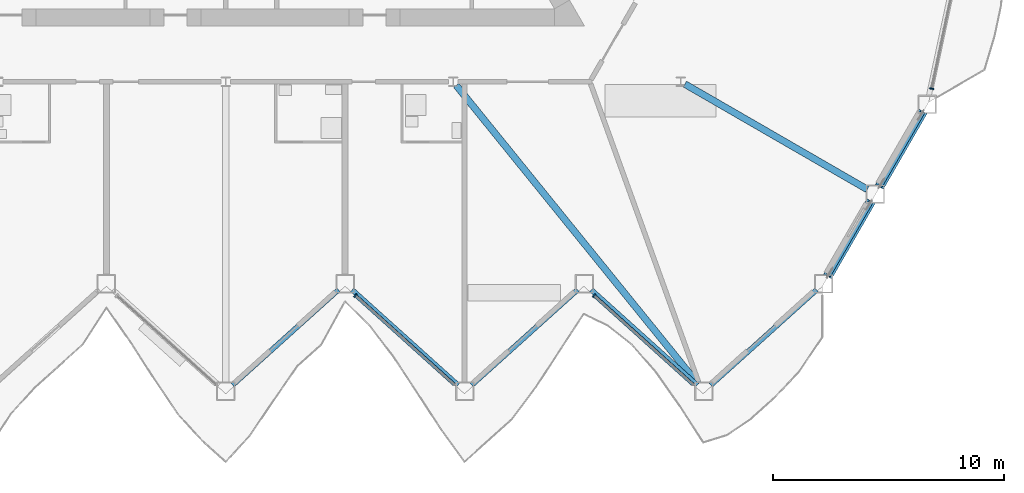
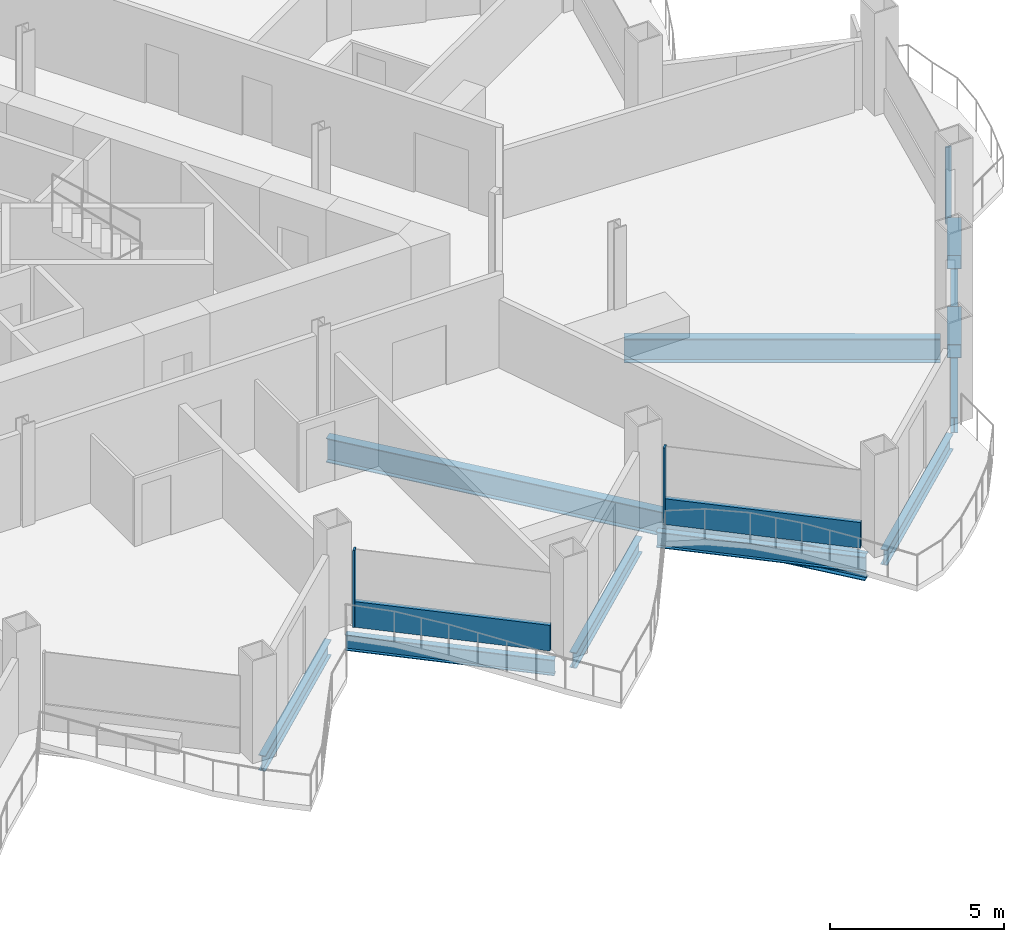
# One storey, part 6 of 23: 9 beams, 7 members, 3 elements without a shape of their own.
"""IFC4 building model written with IfcOpenShell, lengths in metres."""

from ifc_helpers import new_model, si_unit, direction, frame, origin, origin_2d, place, context, subcontext, project, spatial, rectangle, hollow_rectangle, i_section, extrude, material, layer, layer_set, material_profile, profile_set, type_object, element, aggregate, save


model = new_model("IFC4")

# Units and contexts
model_context = context("Model", 3, precision=1e-05, world=origin(), true_north=direction((0.0, 1.0)))
body_context = subcontext(model_context, "Body", "Model", "MODEL_VIEW")
ifc_project = project(units=[si_unit("LENGTHUNIT", "METRE"), si_unit("AREAUNIT", "SQUARE_METRE"), si_unit("VOLUMEUNIT", "CUBIC_METRE"), si_unit("PLANEANGLEUNIT", "RADIAN"), si_unit("MASSUNIT", "GRAM", prefix="KILO")], contexts=[model_context])

# Site, building, storey
site_placement = place(None, origin())
site = spatial("IfcSite", under=ifc_project, at=site_placement, CompositionType="ELEMENT")
building_placement = place(site_placement, origin())
building = spatial("IfcBuilding", under=site, at=building_placement, Name="Cormorant Prow Tower", CompositionType="ELEMENT")
storey_placement = place(building_placement, frame((0.0, 0.0, 208.800048828125)))
storey = spatial("IfcBuildingStorey", under=building, at=storey_placement, Name="L46", CompositionType="ELEMENT", Elevation=208.800048828125)

# Members
ifc_material_1 = material(Name="Structural steel ASTM A500 Gr C", Category="steel")
ifc_material_profile_1 = material_profile(ifc_material_1, hollow_rectangle(XDim=0.406494140625, YDim=0.406494140625, WallThickness=0.01171875, at=origin_2d()), Name="HSS16x16x1/2")
ifc_profile_set_1 = profile_set([ifc_material_profile_1], Name="Structural steel ASTM A500 Gr C")
member_type_1 = type_object("IfcMemberType", Name="Chamfer brace HSS16x16x1/2", PredefinedType="BRACE", material=ifc_profile_set_1)
member_1_placement = place(storey_placement, frame((27.850341796875, -16.56103515625, 0.739990234375), z_axis=(-0.474017648602, -0.820985582338, 0.318260808783), x_axis=(0.866015628144, -0.500016931523, 0.0)))
element("IfcMember", 1, at=member_1_placement, inside=storey, type_object=member_type_1, Name="Chamfer brace BR2 at ESE00 L46", PredefinedType="BRACE", context=body_context, shape_type="SweptSolid", body=[
    extrude(hollow_rectangle(XDim=0.406494140625, YDim=0.406494140625, WallThickness=0.01171875, at=origin_2d()), origin(), (0.0, 0.0, 1.0), 3.83544921875),
])
member_2_placement = place(storey_placement, frame((30.08544921875, -12.689453125, 0.739990234375), z_axis=(-0.473992878603, -0.821006330213, 0.318244177926), x_axis=(0.866032413668, -0.499987858329, 0.0)))
element("IfcMember", 2, at=member_2_placement, inside=storey, type_object=member_type_1, Name="Chamfer brace BR2 at ESE01 L46", PredefinedType="BRACE", context=body_context, shape_type="SweptSolid", body=[
    extrude(hollow_rectangle(XDim=0.406494140625, YDim=0.406494140625, WallThickness=0.01171875, at=origin_2d()), origin(), (0.0, 0.0, 1.0), 3.835693359375),
])

# Curtain wall, member
ifc_material_2 = material(Name="Aluminium 6063-T6", Category="aluminium")
ifc_layer = layer(ifc_material_2, 0.179931640625)
ifc_layer_set = layer_set([ifc_layer], Name="Aluminium 6063-T6")
curtain_wall_type = type_object("IfcCurtainWallType", Name="Hotel unitised curtain wall 180", PredefinedType="NOTDEFINED", material=ifc_layer_set)
curtain_wall_1_placement = place(storey_placement, origin())
curtain_wall_1 = element("IfcCurtainWall", 3, at=curtain_wall_1_placement, inside=storey, type_object=curtain_wall_type, Name="Hotel curtain wall S06", PredefinedType="NOTDEFINED")
ifc_material_3 = material(Name="Aluminium 6063-T6", Category="aluminium")
ifc_material_profile_2 = material_profile(ifc_material_3, rectangle(XDim=0.179931640625, YDim=0.06005859375, at=origin_2d()), Name="Hotel mullion 60x180")
ifc_profile_set_2 = profile_set([ifc_material_profile_2], Name="Aluminium 6063-T6")
member_type_2 = type_object("IfcMemberType", Name="Hotel mullion 60x180", PredefinedType="MULLION", material=ifc_profile_set_2)
member_3_placement = place(storey_placement, frame((5.60009765625, -20.5849609375, 0.0), z_axis=(0.0, 0.0, 1.0), x_axis=(0.669130701561, 0.743144739757, 0.0)))
member_3 = element("IfcMember", 4, at=member_3_placement, type_object=member_type_2, Name="Hotel mullion S06", PredefinedType="MULLION", context=body_context, shape_type="SweptSolid", body=[
    extrude(rectangle(XDim=0.179931640625, YDim=0.06005859375, at=origin_2d()), origin(), (0.0, 0.0, 1.0), 2.700927734375),
])

curtain_wall_2_placement = place(storey_placement, origin())
curtain_wall_2 = element("IfcCurtainWall", 5, at=curtain_wall_2_placement, inside=storey, type_object=curtain_wall_type, Name="Hotel curtain wall S08", PredefinedType="NOTDEFINED")
member_4_placement = place(storey_placement, frame((15.911376953125, -20.5849609375, 0.0), z_axis=(0.0, 0.0, 1.0), x_axis=(0.669130629874, 0.743144804304, 0.0)))
member_4 = element("IfcMember", 6, at=member_4_placement, type_object=member_type_2, Name="Hotel mullion S08", PredefinedType="MULLION", context=body_context, shape_type="SweptSolid", body=[
    extrude(rectangle(XDim=0.179931640625, YDim=0.06005859375, at=origin_2d()), origin(), (0.0, 0.0, 1.0), 2.700927734375),
])

curtain_wall_3_placement = place(storey_placement, origin())
curtain_wall_3 = element("IfcCurtainWall", 7, at=curtain_wall_3_placement, inside=storey, type_object=curtain_wall_type, Name="Hotel curtain wall ENE00", PredefinedType="NOTDEFINED")
member_5_placement = place(storey_placement, frame((30.494140625, -11.647216796875, 0.0), z_axis=(0.0, 0.0, 1.0), x_axis=(-0.978147596387, 0.20791171127, 0.0)))
member_5 = element("IfcMember", 8, at=member_5_placement, type_object=member_type_2, Name="Hotel mullion ENE00", PredefinedType="MULLION", context=body_context, shape_type="SweptSolid", body=[
    extrude(rectangle(XDim=0.179931640625, YDim=0.06005859375, at=origin_2d()), origin(), (0.0, 0.0, 1.0), 2.700927734375),
])
aggregate(curtain_wall_3, [member_5])

# Member
ifc_material_4 = material(Name="Terracotta", Category="masonry")
ifc_material_profile_3 = material_profile(ifc_material_4, rectangle(XDim=0.139892578125, YDim=0.89990234375, at=origin_2d()), Name="Hotel terracotta spandrel rail 140x900")
ifc_profile_set_3 = profile_set([ifc_material_profile_3], Name="Terracotta")
member_type_3 = type_object("IfcMemberType", Name="Hotel terracotta spandrel rail 140x900", PredefinedType="USERDEFINED", material=ifc_profile_set_3)
member_6_placement = place(storey_placement, frame((5.622314453125, -20.605224609375, 0.449951171875), z_axis=(0.743152468753, -0.669122117543, 0.0), x_axis=(0.669122117543, 0.743152468753, 0.0)))
member_6 = element("IfcMember", 9, at=member_6_placement, type_object=member_type_3, Name="Hotel spandrel rail S06", ObjectType="TRANSOM", PredefinedType="USERDEFINED", context=body_context, shape_type="SweptSolid", body=[
    extrude(rectangle(XDim=0.139892578125, YDim=0.89990234375, at=origin_2d()), origin(), (0.0, 0.0, 1.0), 5.741455078125),
])

aggregate(curtain_wall_1, [member_3, member_6])

member_7_placement = place(storey_placement, frame((15.93359375, -20.605224609375, 0.449951171875), z_axis=(0.743152468753, -0.669122117543, 0.0), x_axis=(0.669122117543, 0.743152468753, 0.0)))
member_7 = element("IfcMember", 10, at=member_7_placement, type_object=member_type_3, Name="Hotel spandrel rail S08", ObjectType="TRANSOM", PredefinedType="USERDEFINED", context=body_context, shape_type="SweptSolid", body=[
    extrude(rectangle(XDim=0.139892578125, YDim=0.89990234375, at=origin_2d()), origin(), (0.0, 0.0, 1.0), 5.741455078125),
])

aggregate(curtain_wall_2, [member_4, member_7])

# Beams
ifc_material_5 = material(Name="Structural steel ASTM A992 Gr 50", Category="steel")
ifc_material_profile_4 = material_profile(ifc_material_5, i_section(OverallWidth=0.29296875, OverallDepth=0.845703125, WebThickness=0.015380859375, FlangeThickness=0.0244140625, at=origin_2d()), Name="W33x141")
ifc_profile_set_4 = profile_set([ifc_material_profile_4], Name="Structural steel ASTM A992 Gr 50")
beam_type_1 = type_object("IfcBeamType", Name="Radial floor beam W33x141", PredefinedType="BEAM", material=ifc_profile_set_4)
beam_1_placement = place(storey_placement, frame((9.95654296875, -11.50732421875, -0.77294921875), z_axis=(0.629385162657, -0.777093505974, 0.0), x_axis=(0.777093505974, 0.629385162657, 0.0)))
element("IfcBeam", 11, at=beam_1_placement, inside=storey, type_object=beam_type_1, Name="Radial floor beam FB2 8 L46", PredefinedType="BEAM", context=body_context, shape_type="SweptSolid", body=[
    extrude(i_section(OverallWidth=0.29296875, OverallDepth=0.845703125, WebThickness=0.015380859375, FlangeThickness=0.0244140625, at=origin_2d()), origin(), (0.0, 0.0, 1.0), 16.6044921875),
])
beam_2_placement = place(storey_placement, frame((19.833251953125, -11.45068359375, -0.77294921875), z_axis=(0.866023373109, -0.500003517217, 0.0), x_axis=(0.500003517217, 0.866023373109, 0.0)))
element("IfcBeam", 12, at=beam_2_placement, inside=storey, type_object=beam_type_1, Name="Radial floor beam FB2 9 L46", PredefinedType="BEAM", context=body_context, shape_type="SweptSolid", body=[
    extrude(i_section(OverallWidth=0.29296875, OverallDepth=0.845703125, WebThickness=0.015380859375, FlangeThickness=0.0244140625, at=origin_2d()), origin(), (0.0, 0.0, 1.0), 9.09814453125),
])
ifc_material_6 = material(Name="Structural steel ASTM A992 Gr 50", Category="steel")
ifc_material_profile_5 = material_profile(ifc_material_6, i_section(OverallWidth=0.2138671875, OverallDepth=0.549072265625, WebThickness=0.0146484375, FlangeThickness=0.023681640625, at=origin_2d()), Name="W21x93")
ifc_profile_set_5 = profile_set([ifc_material_profile_5], Name="Structural steel ASTM A992 Gr 50")
beam_type_2 = type_object("IfcBeamType", Name="Spandrel beam W21x93", PredefinedType="SPANDREL", material=ifc_profile_set_5)
beam_3_placement = place(storey_placement, frame((0.29736328125, -24.453857421875, -0.62451171875), z_axis=(0.743138178716, 0.669137988261, 0.0), x_axis=(-0.669137988261, 0.743138178716, 0.0)))
element("IfcBeam", 13, at=beam_3_placement, inside=storey, type_object=beam_type_2, Name="Spandrel beam SB2 S05-S06 L46", PredefinedType="SPANDREL", context=body_context, shape_type="SweptSolid", body=[
    extrude(i_section(OverallWidth=0.2138671875, OverallDepth=0.549072265625, WebThickness=0.0146484375, FlangeThickness=0.023681640625, at=origin_2d()), origin(), (0.0, 0.0, 1.0), 6.149658203125),
])
beam_4_placement = place(storey_placement, frame((5.4619140625, -20.3388671875, -0.62451171875), z_axis=(0.743155953285, -0.669118247469, 0.0), x_axis=(0.669118247469, 0.743155953285, 0.0)))
element("IfcBeam", 14, at=beam_4_placement, inside=storey, type_object=beam_type_2, Name="Spandrel beam SB2 S06-S07 L46", PredefinedType="SPANDREL", context=body_context, shape_type="SweptSolid", body=[
    extrude(i_section(OverallWidth=0.2138671875, OverallDepth=0.549072265625, WebThickness=0.0146484375, FlangeThickness=0.023681640625, at=origin_2d()), origin(), (0.0, 0.0, 1.0), 6.14990234375),
])
for number, where, z_axis, x_axis, name in (
    (15, (10.626708984375, -24.453857421875, -0.62451171875), (0.743138178716, 0.669137988261, 0.0), (-0.669137988261, 0.743138178716, 0.0), "Spandrel beam SB2 S07-S08 L46"),
    (16, (15.79150390625, -20.3388671875, -0.62451171875), (0.743138178716, -0.669137988261, 0.0), (0.669137988261, 0.743138178716, 0.0), "Spandrel beam SB2 S08-S09 L46"),
):
    element("IfcBeam", number, at=place(storey_placement, frame(where, z_axis=z_axis, x_axis=x_axis)), inside=storey, type_object=beam_type_2, Name=name, PredefinedType="SPANDREL", context=body_context, shape_type="SweptSolid", body=[
        extrude(i_section(OverallWidth=0.2138671875, OverallDepth=0.549072265625, WebThickness=0.0146484375, FlangeThickness=0.023681640625, at=origin_2d()), origin(), (0.0, 0.0, 1.0), 6.149658203125),
    ])
beam_5_placement = place(storey_placement, frame((20.9560546875, -24.453857421875, -0.62451171875), z_axis=(0.743155953285, 0.669118247469, 0.0), x_axis=(-0.669118247469, 0.743155953285, 0.0)))
element("IfcBeam", 17, at=beam_5_placement, inside=storey, type_object=beam_type_2, Name="Spandrel beam SB2 S09-ESE00 L46", PredefinedType="SPANDREL", context=body_context, shape_type="SweptSolid", body=[
    extrude(i_section(OverallWidth=0.2138671875, OverallDepth=0.549072265625, WebThickness=0.0146484375, FlangeThickness=0.023681640625, at=origin_2d()), origin(), (0.0, 0.0, 1.0), 6.14990234375),
])
for number, where, z_axis, x_axis, name in (
    (18, (26.023681640625, -19.724853515625, -0.62451171875), (0.499994986164, 0.866028298505, 0.0), (-0.866028298505, 0.499994986164, 0.0), "Spandrel beam SB2 ESE00-ESE01 L46"),
    (19, (28.2587890625, -15.853271484375, -0.62451171875), (0.499994986164, 0.866028298505, 0.0), (-0.866028298505, 0.499994986164, 0.0), "Spandrel beam SB2 ESE01-ENE00 L46"),
):
    element("IfcBeam", number, at=place(storey_placement, frame(where, z_axis=z_axis, x_axis=x_axis)), inside=storey, type_object=beam_type_2, Name=name, PredefinedType="SPANDREL", context=body_context, shape_type="SweptSolid", body=[
        extrude(i_section(OverallWidth=0.2138671875, OverallDepth=0.549072265625, WebThickness=0.0146484375, FlangeThickness=0.023681640625, at=origin_2d()), origin(), (0.0, 0.0, 1.0), 3.67041015625),
    ])

save(model, "model.ifc")
